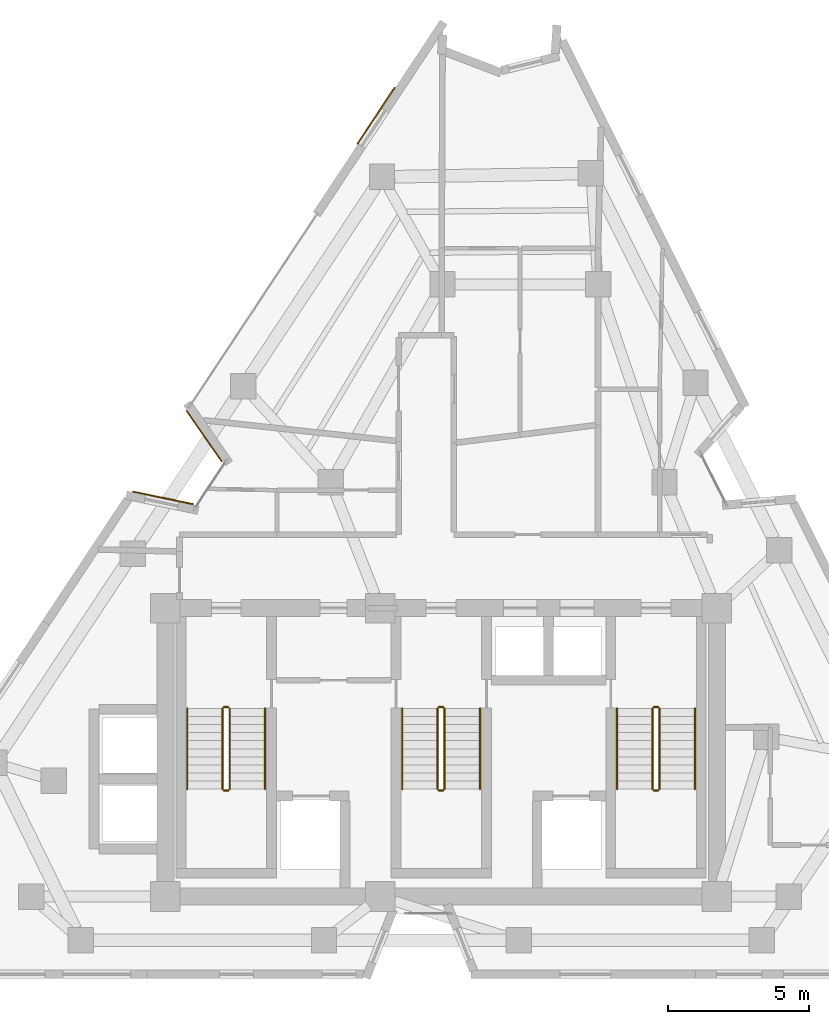
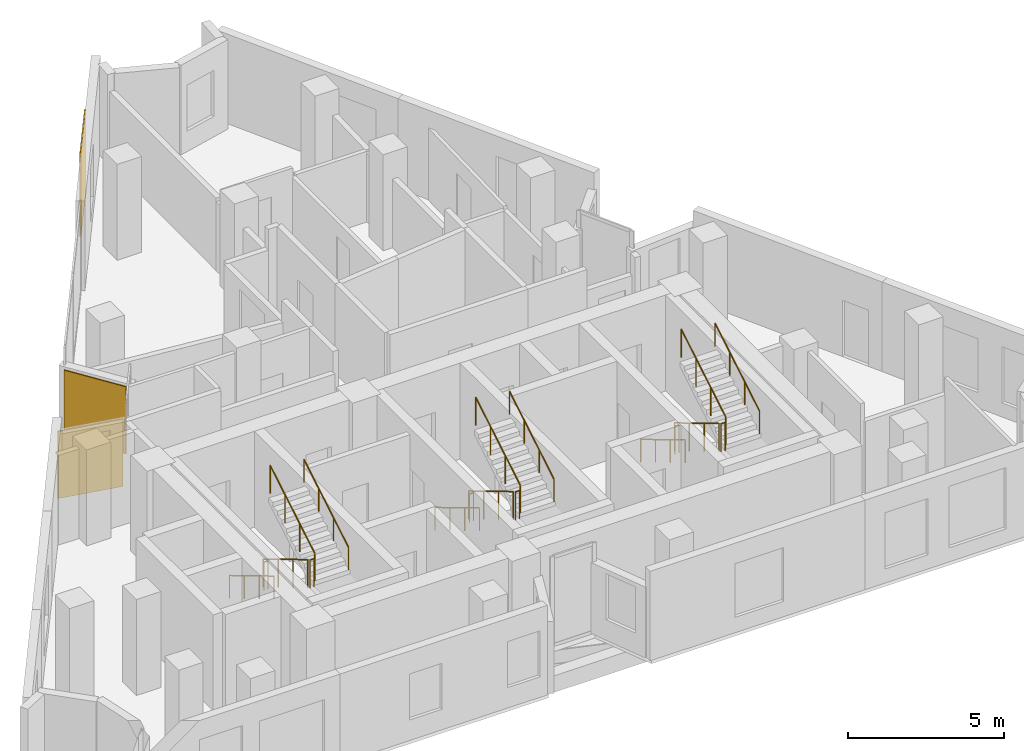
# One storey, part 8 of 9: 18 railings, 3 coverings.
"""IFC4 building model written with IfcOpenShell, lengths in metres."""

from ifc_helpers import new_model, si_unit, direction, frame, origin, origin_2d, place, context, subcontext, project, spatial, rectangle, circle, extrude, material, layer, layer_set, type_object, element, save


model = new_model("IFC4")

# Units and contexts
model_context = context("Model", 3, precision=1e-05, world=origin(), true_north=direction((0.0, 1.0)))
body_context = subcontext(model_context, "Body", "Model", "MODEL_VIEW")
ifc_project = project(units=[si_unit("LENGTHUNIT", "METRE"), si_unit("AREAUNIT", "SQUARE_METRE"), si_unit("VOLUMEUNIT", "CUBIC_METRE"), si_unit("PLANEANGLEUNIT", "RADIAN"), si_unit("MASSUNIT", "GRAM", prefix="KILO")], contexts=[model_context])

# Site, building, storey
site_placement = place(None, origin())
site = spatial("IfcSite", under=ifc_project, at=site_placement, CompositionType="ELEMENT")
building_placement = place(site_placement, origin())
building = spatial("IfcBuilding", under=site, at=building_placement, Name="Almagre Mirador Tower", CompositionType="ELEMENT")
storey_placement = place(building_placement, frame((0.0, 0.0, 259.5)))
storey = spatial("IfcBuildingStorey", under=building, at=storey_placement, Name="L67", CompositionType="ELEMENT", Elevation=259.5)

# Coverings
ifc_material_1 = material(Name="Almagre terracotta architectural cladding", Category="masonry")
ifc_layer = layer(ifc_material_1, 0.044921875)
ifc_layer_set = layer_set([ifc_layer], Name="Almagre terracotta architectural cladding")
covering_type = type_object("IfcCoveringType", Name="COV-CLAD-ALMAGRE", PredefinedType="CLADDING", material=ifc_layer_set)
for number, where, z_axis, x_axis, name in (
    (1, (27.46875, 18.647705078125, 0.10009765625), (0.0, 0.0, 1.0), (0.978792371297, -0.204854811734, 0.0), "L67 almagre terracotta pier cladding"),
    (2, (28.91796875, 20.83544921875, 0.10009765625), (0.0, 0.0, 1.0), (-0.570856876565, 0.821049588319, 0.0), "L67 almagre terracotta pier cladding"),
):
    element("IfcCovering", number, at=place(storey_placement, frame(where, z_axis=z_axis, x_axis=x_axis)), inside=storey, type_object=covering_type, Name=name, PredefinedType="CLADDING", context=body_context, shape_type="SweptSolid", body=[
        extrude(rectangle(XDim=2.194091796875, YDim=0.044921875, at=origin_2d()), origin(), (0.0, 0.0, 1.0), 2.625),
    ])
covering_placement = place(storey_placement, frame((35.0, 32.1650390625, 0.10009765625), z_axis=(0.0, 0.0, 1.0), x_axis=(0.552111621844, 0.833770206367, 0.0)))
element("IfcCovering", 3, at=covering_placement, inside=storey, type_object=covering_type, Name="L67 almagre terracotta pier cladding", PredefinedType="CLADDING", context=body_context, shape_type="SweptSolid", body=[
    extrude(rectangle(XDim=2.39990234375, YDim=0.044921875, at=origin_2d()), origin(), (0.0, 0.0, 1.0), 3.300048828125),
])

# Railings
ifc_material_2 = material(Name="Painted galvanized steel", Category="steel")
railing_type_1 = type_object("IfcRailingType", Name="RLG-GRD-1100", PredefinedType="GUARDRAIL", material=ifc_material_2)
railing_1_placement = place(storey_placement, frame((29.574951171875, 11.199951171875, 0.17041015625)))
element("IfcRailing", 4, at=railing_1_placement, inside=storey, type_object=railing_type_1, Name="L67 ST-1 stair guard 1", PredefinedType="GUARDRAIL", context=body_context, shape_type="SweptSolid", body=[
    extrude(circle(Radius=0.02392578125, at=origin_2d()), frame((0.0, 0.0, 1.09619140625), z_axis=(0.0, -0.858199205511, 0.513316786848), x_axis=(1.0, 0.0, 0.0)), (0.0, 0.0, 1.0), 3.32080078125),
    extrude(circle(Radius=0.02099609375, at=origin_2d()), origin(), (0.0, 0.0, 1.0), 1.072021484375),
    extrude(circle(Radius=0.02099609375, at=origin_2d()), frame((0.0, -0.949951171875, 0.568115234375)), (0.0, 0.0, 1.0), 1.072021484375),
    extrude(circle(Radius=0.02099609375, at=origin_2d()), frame((0.0, -1.89990234375, 1.136474609375)), (0.0, 0.0, 1.0), 1.072021484375),
    extrude(circle(Radius=0.02099609375, at=origin_2d()), frame((0.0, -2.849853515625, 1.70458984375)), (0.0, 0.0, 1.0), 1.072021484375),
])
railing_2_placement = place(storey_placement, frame((29.625, 8.300048828125, 1.875)))
element("IfcRailing", 5, at=railing_2_placement, inside=storey, type_object=railing_type_1, Name="L67 ST-1 stair guard 2", PredefinedType="GUARDRAIL", context=body_context, shape_type="SweptSolid", body=[
    extrude(circle(Radius=0.02392578125, at=origin_2d()), frame((0.0, 0.0, 1.09619140625), z_axis=(1.0, 0.0, 0.0), x_axis=(0.0, 1.0, 0.0)), (0.0, 0.0, 1.0), 0.14990234375),
    extrude(circle(Radius=0.02099609375, at=origin_2d()), origin(), (0.0, 0.0, 1.0), 1.072021484375),
    extrude(circle(Radius=0.02099609375, at=origin_2d()), frame((0.14990234375, 0.0, 0.0)), (0.0, 0.0, 1.0), 1.072021484375),
])
railing_3_placement = place(storey_placement, frame((29.824951171875, 8.35009765625, 2.04541015625)))
element("IfcRailing", 6, at=railing_3_placement, inside=storey, type_object=railing_type_1, Name="L67 ST-1 stair guard 3", PredefinedType="GUARDRAIL", context=body_context, shape_type="SweptSolid", body=[
    extrude(circle(Radius=0.02392578125, at=origin_2d()), frame((0.0, 0.0, 1.09619140625), z_axis=(0.0, 0.858199205511, 0.513316786848), x_axis=(-1.0, 0.0, 0.0)), (0.0, 0.0, 1.0), 3.32080078125),
    extrude(circle(Radius=0.02099609375, at=origin_2d()), origin(), (0.0, 0.0, 1.0), 1.072021484375),
    extrude(circle(Radius=0.02099609375, at=origin_2d()), frame((0.0, 0.949951171875, 0.568115234375)), (0.0, 0.0, 1.0), 1.072021484375),
    extrude(circle(Radius=0.02099609375, at=origin_2d()), frame((0.0, 1.89990234375, 1.136474609375)), (0.0, 0.0, 1.0), 1.072021484375),
    extrude(circle(Radius=0.02099609375, at=origin_2d()), frame((0.0, 2.849853515625, 1.70458984375)), (0.0, 0.0, 1.0), 1.072021484375),
])
railing_4_placement = place(storey_placement, frame((29.625, 11.25, 0.0)))
element("IfcRailing", 7, at=railing_4_placement, inside=storey, type_object=railing_type_1, Name="L67 ST-1 stair guard 4", PredefinedType="GUARDRAIL", context=body_context, shape_type="SweptSolid", body=[
    extrude(circle(Radius=0.02392578125, at=origin_2d()), frame((0.0, 0.0, 1.09619140625), z_axis=(1.0, 0.0, 0.0), x_axis=(0.0, 1.0, 0.0)), (0.0, 0.0, 1.0), 0.14990234375),
    extrude(circle(Radius=0.02099609375, at=origin_2d()), origin(), (0.0, 0.0, 1.0), 1.072021484375),
    extrude(circle(Radius=0.02099609375, at=origin_2d()), frame((0.14990234375, 0.0, 0.0)), (0.0, 0.0, 1.0), 1.072021484375),
])
railing_5_placement = place(storey_placement, frame((37.175048828125, 11.199951171875, 0.17041015625)))
element("IfcRailing", 8, at=railing_5_placement, inside=storey, type_object=railing_type_1, Name="L67 ST-2 stair guard 1", PredefinedType="GUARDRAIL", context=body_context, shape_type="SweptSolid", body=[
    extrude(circle(Radius=0.02392578125, at=origin_2d()), frame((0.0, 0.0, 1.09619140625), z_axis=(0.0, -0.858199205511, 0.513316786848), x_axis=(1.0, 0.0, 0.0)), (0.0, 0.0, 1.0), 3.32080078125),
    extrude(circle(Radius=0.02099609375, at=origin_2d()), origin(), (0.0, 0.0, 1.0), 1.072021484375),
    extrude(circle(Radius=0.02099609375, at=origin_2d()), frame((0.0, -0.949951171875, 0.568115234375)), (0.0, 0.0, 1.0), 1.072021484375),
    extrude(circle(Radius=0.02099609375, at=origin_2d()), frame((0.0, -1.89990234375, 1.136474609375)), (0.0, 0.0, 1.0), 1.072021484375),
    extrude(circle(Radius=0.02099609375, at=origin_2d()), frame((0.0, -2.849853515625, 1.70458984375)), (0.0, 0.0, 1.0), 1.072021484375),
])
railing_6_placement = place(storey_placement, frame((37.22509765625, 8.300048828125, 1.875)))
element("IfcRailing", 9, at=railing_6_placement, inside=storey, type_object=railing_type_1, Name="L67 ST-2 stair guard 2", PredefinedType="GUARDRAIL", context=body_context, shape_type="SweptSolid", body=[
    extrude(circle(Radius=0.02392578125, at=origin_2d()), frame((0.0, 0.0, 1.09619140625), z_axis=(1.0, 0.0, 0.0), x_axis=(0.0, 1.0, 0.0)), (0.0, 0.0, 1.0), 0.14990234375),
    extrude(circle(Radius=0.02099609375, at=origin_2d()), origin(), (0.0, 0.0, 1.0), 1.072021484375),
    extrude(circle(Radius=0.02099609375, at=origin_2d()), frame((0.14990234375, 0.0, 0.0)), (0.0, 0.0, 1.0), 1.072021484375),
])
railing_7_placement = place(storey_placement, frame((37.425048828125, 8.35009765625, 2.04541015625)))
element("IfcRailing", 10, at=railing_7_placement, inside=storey, type_object=railing_type_1, Name="L67 ST-2 stair guard 3", PredefinedType="GUARDRAIL", context=body_context, shape_type="SweptSolid", body=[
    extrude(circle(Radius=0.02392578125, at=origin_2d()), frame((0.0, 0.0, 1.09619140625), z_axis=(0.0, 0.858199205511, 0.513316786848), x_axis=(-1.0, 0.0, 0.0)), (0.0, 0.0, 1.0), 3.32080078125),
    extrude(circle(Radius=0.02099609375, at=origin_2d()), origin(), (0.0, 0.0, 1.0), 1.072021484375),
    extrude(circle(Radius=0.02099609375, at=origin_2d()), frame((0.0, 0.949951171875, 0.568115234375)), (0.0, 0.0, 1.0), 1.072021484375),
    extrude(circle(Radius=0.02099609375, at=origin_2d()), frame((0.0, 1.89990234375, 1.136474609375)), (0.0, 0.0, 1.0), 1.072021484375),
    extrude(circle(Radius=0.02099609375, at=origin_2d()), frame((0.0, 2.849853515625, 1.70458984375)), (0.0, 0.0, 1.0), 1.072021484375),
])
railing_8_placement = place(storey_placement, frame((37.22509765625, 11.25, 0.0)))
element("IfcRailing", 11, at=railing_8_placement, inside=storey, type_object=railing_type_1, Name="L67 ST-2 stair guard 4", PredefinedType="GUARDRAIL", context=body_context, shape_type="SweptSolid", body=[
    extrude(circle(Radius=0.02392578125, at=origin_2d()), frame((0.0, 0.0, 1.09619140625), z_axis=(1.0, 0.0, 0.0), x_axis=(0.0, 1.0, 0.0)), (0.0, 0.0, 1.0), 0.14990234375),
    extrude(circle(Radius=0.02099609375, at=origin_2d()), origin(), (0.0, 0.0, 1.0), 1.072021484375),
    extrude(circle(Radius=0.02099609375, at=origin_2d()), frame((0.14990234375, 0.0, 0.0)), (0.0, 0.0, 1.0), 1.072021484375),
])
railing_9_placement = place(storey_placement, frame((44.77490234375, 11.199951171875, 0.17041015625)))
element("IfcRailing", 12, at=railing_9_placement, inside=storey, type_object=railing_type_1, Name="L67 ST-3 stair guard 1", PredefinedType="GUARDRAIL", context=body_context, shape_type="SweptSolid", body=[
    extrude(circle(Radius=0.02392578125, at=origin_2d()), frame((0.0, 0.0, 1.09619140625), z_axis=(0.0, -0.858199205511, 0.513316786848), x_axis=(1.0, 0.0, 0.0)), (0.0, 0.0, 1.0), 3.32080078125),
    extrude(circle(Radius=0.02099609375, at=origin_2d()), origin(), (0.0, 0.0, 1.0), 1.072021484375),
    extrude(circle(Radius=0.02099609375, at=origin_2d()), frame((0.0, -0.949951171875, 0.568115234375)), (0.0, 0.0, 1.0), 1.072021484375),
    extrude(circle(Radius=0.02099609375, at=origin_2d()), frame((0.0, -1.89990234375, 1.136474609375)), (0.0, 0.0, 1.0), 1.072021484375),
    extrude(circle(Radius=0.02099609375, at=origin_2d()), frame((0.0, -2.849853515625, 1.70458984375)), (0.0, 0.0, 1.0), 1.072021484375),
])
railing_10_placement = place(storey_placement, frame((44.824951171875, 8.300048828125, 1.875)))
element("IfcRailing", 13, at=railing_10_placement, inside=storey, type_object=railing_type_1, Name="L67 ST-3 stair guard 2", PredefinedType="GUARDRAIL", context=body_context, shape_type="SweptSolid", body=[
    extrude(circle(Radius=0.02392578125, at=origin_2d()), frame((0.0, 0.0, 1.09619140625), z_axis=(1.0, 0.0, 0.0), x_axis=(0.0, 1.0, 0.0)), (0.0, 0.0, 1.0), 0.150146484375),
    extrude(circle(Radius=0.02099609375, at=origin_2d()), origin(), (0.0, 0.0, 1.0), 1.072021484375),
    extrude(circle(Radius=0.02099609375, at=origin_2d()), frame((0.150146484375, 0.0, 0.0)), (0.0, 0.0, 1.0), 1.072021484375),
])
railing_11_placement = place(storey_placement, frame((45.02490234375, 8.35009765625, 2.04541015625)))
element("IfcRailing", 14, at=railing_11_placement, inside=storey, type_object=railing_type_1, Name="L67 ST-3 stair guard 3", PredefinedType="GUARDRAIL", context=body_context, shape_type="SweptSolid", body=[
    extrude(circle(Radius=0.02392578125, at=origin_2d()), frame((0.0, 0.0, 1.09619140625), z_axis=(0.0, 0.858199205511, 0.513316786848), x_axis=(-1.0, 0.0, 0.0)), (0.0, 0.0, 1.0), 3.32080078125),
    extrude(circle(Radius=0.02099609375, at=origin_2d()), origin(), (0.0, 0.0, 1.0), 1.072021484375),
    extrude(circle(Radius=0.02099609375, at=origin_2d()), frame((0.0, 0.949951171875, 0.568115234375)), (0.0, 0.0, 1.0), 1.072021484375),
    extrude(circle(Radius=0.02099609375, at=origin_2d()), frame((0.0, 1.89990234375, 1.136474609375)), (0.0, 0.0, 1.0), 1.072021484375),
    extrude(circle(Radius=0.02099609375, at=origin_2d()), frame((0.0, 2.849853515625, 1.70458984375)), (0.0, 0.0, 1.0), 1.072021484375),
])
railing_12_placement = place(storey_placement, frame((44.824951171875, 11.25, 0.0)))
element("IfcRailing", 15, at=railing_12_placement, inside=storey, type_object=railing_type_1, Name="L67 ST-3 stair guard 4", PredefinedType="GUARDRAIL", context=body_context, shape_type="SweptSolid", body=[
    extrude(circle(Radius=0.02392578125, at=origin_2d()), frame((0.0, 0.0, 1.09619140625), z_axis=(1.0, 0.0, 0.0), x_axis=(0.0, 1.0, 0.0)), (0.0, 0.0, 1.0), 0.150146484375),
    extrude(circle(Radius=0.02099609375, at=origin_2d()), origin(), (0.0, 0.0, 1.0), 1.072021484375),
    extrude(circle(Radius=0.02099609375, at=origin_2d()), frame((0.150146484375, 0.0, 0.0)), (0.0, 0.0, 1.0), 1.072021484375),
])
ifc_material_3 = material(Name="Brushed stainless steel", Category="steel")
railing_type_2 = type_object("IfcRailingType", Name="RLG-HND-915", PredefinedType="HANDRAIL", material=ifc_material_3)
railing_13_placement = place(storey_placement, frame((28.324951171875, 11.199951171875, 0.17041015625)))
element("IfcRailing", 16, at=railing_13_placement, inside=storey, type_object=railing_type_2, Name="L67 ST-1 stair handrail 1", PredefinedType="HANDRAIL", context=body_context, shape_type="SweptSolid", body=[
    extrude(circle(Radius=0.02392578125, at=origin_2d()), frame((0.0, 0.0, 0.89111328125), z_axis=(0.0, -0.858199205511, 0.513316786848), x_axis=(1.0, 0.0, 0.0)), (0.0, 0.0, 1.0), 3.32080078125),
    extrude(circle(Radius=0.02099609375, at=origin_2d()), origin(), (0.0, 0.0, 1.0), 0.866943359375),
    extrude(circle(Radius=0.02099609375, at=origin_2d()), frame((0.0, -0.949951171875, 0.568115234375)), (0.0, 0.0, 1.0), 0.866943359375),
    extrude(circle(Radius=0.02099609375, at=origin_2d()), frame((0.0, -1.89990234375, 1.136474609375)), (0.0, 0.0, 1.0), 0.866943359375),
    extrude(circle(Radius=0.02099609375, at=origin_2d()), frame((0.0, -2.849853515625, 1.70458984375)), (0.0, 0.0, 1.0), 0.866943359375),
])
railing_14_placement = place(storey_placement, frame((31.074951171875, 8.35009765625, 2.04541015625)))
element("IfcRailing", 17, at=railing_14_placement, inside=storey, type_object=railing_type_2, Name="L67 ST-1 stair handrail 2", PredefinedType="HANDRAIL", context=body_context, shape_type="SweptSolid", body=[
    extrude(circle(Radius=0.02392578125, at=origin_2d()), frame((0.0, 0.0, 0.89111328125), z_axis=(0.0, 0.858199205511, 0.513316786848), x_axis=(-1.0, 0.0, 0.0)), (0.0, 0.0, 1.0), 3.32080078125),
    extrude(circle(Radius=0.02099609375, at=origin_2d()), origin(), (0.0, 0.0, 1.0), 0.866943359375),
    extrude(circle(Radius=0.02099609375, at=origin_2d()), frame((0.0, 0.949951171875, 0.568115234375)), (0.0, 0.0, 1.0), 0.866943359375),
    extrude(circle(Radius=0.02099609375, at=origin_2d()), frame((0.0, 1.89990234375, 1.136474609375)), (0.0, 0.0, 1.0), 0.866943359375),
    extrude(circle(Radius=0.02099609375, at=origin_2d()), frame((0.0, 2.849853515625, 1.70458984375)), (0.0, 0.0, 1.0), 0.866943359375),
])
railing_15_placement = place(storey_placement, frame((35.925048828125, 11.199951171875, 0.17041015625)))
element("IfcRailing", 18, at=railing_15_placement, inside=storey, type_object=railing_type_2, Name="L67 ST-2 stair handrail 1", PredefinedType="HANDRAIL", context=body_context, shape_type="SweptSolid", body=[
    extrude(circle(Radius=0.02392578125, at=origin_2d()), frame((0.0, 0.0, 0.89111328125), z_axis=(0.0, -0.858199205511, 0.513316786848), x_axis=(1.0, 0.0, 0.0)), (0.0, 0.0, 1.0), 3.32080078125),
    extrude(circle(Radius=0.02099609375, at=origin_2d()), origin(), (0.0, 0.0, 1.0), 0.866943359375),
    extrude(circle(Radius=0.02099609375, at=origin_2d()), frame((0.0, -0.949951171875, 0.568115234375)), (0.0, 0.0, 1.0), 0.866943359375),
    extrude(circle(Radius=0.02099609375, at=origin_2d()), frame((0.0, -1.89990234375, 1.136474609375)), (0.0, 0.0, 1.0), 0.866943359375),
    extrude(circle(Radius=0.02099609375, at=origin_2d()), frame((0.0, -2.849853515625, 1.70458984375)), (0.0, 0.0, 1.0), 0.866943359375),
])
railing_16_placement = place(storey_placement, frame((38.675048828125, 8.35009765625, 2.04541015625)))
element("IfcRailing", 19, at=railing_16_placement, inside=storey, type_object=railing_type_2, Name="L67 ST-2 stair handrail 2", PredefinedType="HANDRAIL", context=body_context, shape_type="SweptSolid", body=[
    extrude(circle(Radius=0.02392578125, at=origin_2d()), frame((0.0, 0.0, 0.89111328125), z_axis=(0.0, 0.858199205511, 0.513316786848), x_axis=(-1.0, 0.0, 0.0)), (0.0, 0.0, 1.0), 3.32080078125),
    extrude(circle(Radius=0.02099609375, at=origin_2d()), origin(), (0.0, 0.0, 1.0), 0.866943359375),
    extrude(circle(Radius=0.02099609375, at=origin_2d()), frame((0.0, 0.949951171875, 0.568115234375)), (0.0, 0.0, 1.0), 0.866943359375),
    extrude(circle(Radius=0.02099609375, at=origin_2d()), frame((0.0, 1.89990234375, 1.136474609375)), (0.0, 0.0, 1.0), 0.866943359375),
    extrude(circle(Radius=0.02099609375, at=origin_2d()), frame((0.0, 2.849853515625, 1.70458984375)), (0.0, 0.0, 1.0), 0.866943359375),
])
railing_17_placement = place(storey_placement, frame((43.52490234375, 11.199951171875, 0.17041015625)))
element("IfcRailing", 20, at=railing_17_placement, inside=storey, type_object=railing_type_2, Name="L67 ST-3 stair handrail 1", PredefinedType="HANDRAIL", context=body_context, shape_type="SweptSolid", body=[
    extrude(circle(Radius=0.02392578125, at=origin_2d()), frame((0.0, 0.0, 0.89111328125), z_axis=(0.0, -0.858199205511, 0.513316786848), x_axis=(1.0, 0.0, 0.0)), (0.0, 0.0, 1.0), 3.32080078125),
    extrude(circle(Radius=0.02099609375, at=origin_2d()), origin(), (0.0, 0.0, 1.0), 0.866943359375),
    extrude(circle(Radius=0.02099609375, at=origin_2d()), frame((0.0, -0.949951171875, 0.568115234375)), (0.0, 0.0, 1.0), 0.866943359375),
    extrude(circle(Radius=0.02099609375, at=origin_2d()), frame((0.0, -1.89990234375, 1.136474609375)), (0.0, 0.0, 1.0), 0.866943359375),
    extrude(circle(Radius=0.02099609375, at=origin_2d()), frame((0.0, -2.849853515625, 1.70458984375)), (0.0, 0.0, 1.0), 0.866943359375),
])
railing_18_placement = place(storey_placement, frame((46.27490234375, 8.35009765625, 2.04541015625)))
element("IfcRailing", 21, at=railing_18_placement, inside=storey, type_object=railing_type_2, Name="L67 ST-3 stair handrail 2", PredefinedType="HANDRAIL", context=body_context, shape_type="SweptSolid", body=[
    extrude(circle(Radius=0.02392578125, at=origin_2d()), frame((0.0, 0.0, 0.89111328125), z_axis=(0.0, 0.858199205511, 0.513316786848), x_axis=(-1.0, 0.0, 0.0)), (0.0, 0.0, 1.0), 3.32080078125),
    extrude(circle(Radius=0.02099609375, at=origin_2d()), origin(), (0.0, 0.0, 1.0), 0.866943359375),
    extrude(circle(Radius=0.02099609375, at=origin_2d()), frame((0.0, 0.949951171875, 0.568115234375)), (0.0, 0.0, 1.0), 0.866943359375),
    extrude(circle(Radius=0.02099609375, at=origin_2d()), frame((0.0, 1.89990234375, 1.136474609375)), (0.0, 0.0, 1.0), 0.866943359375),
    extrude(circle(Radius=0.02099609375, at=origin_2d()), frame((0.0, 2.849853515625, 1.70458984375)), (0.0, 0.0, 1.0), 0.866943359375),
])

save(model, "model.ifc")
